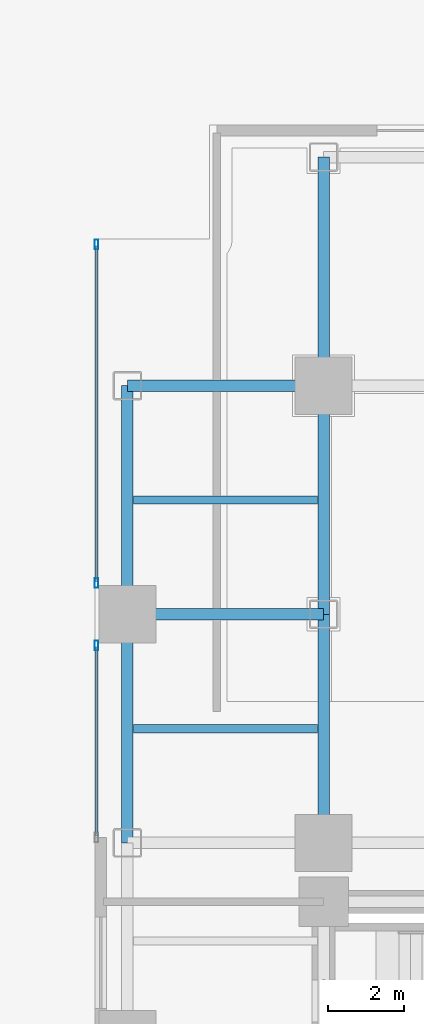
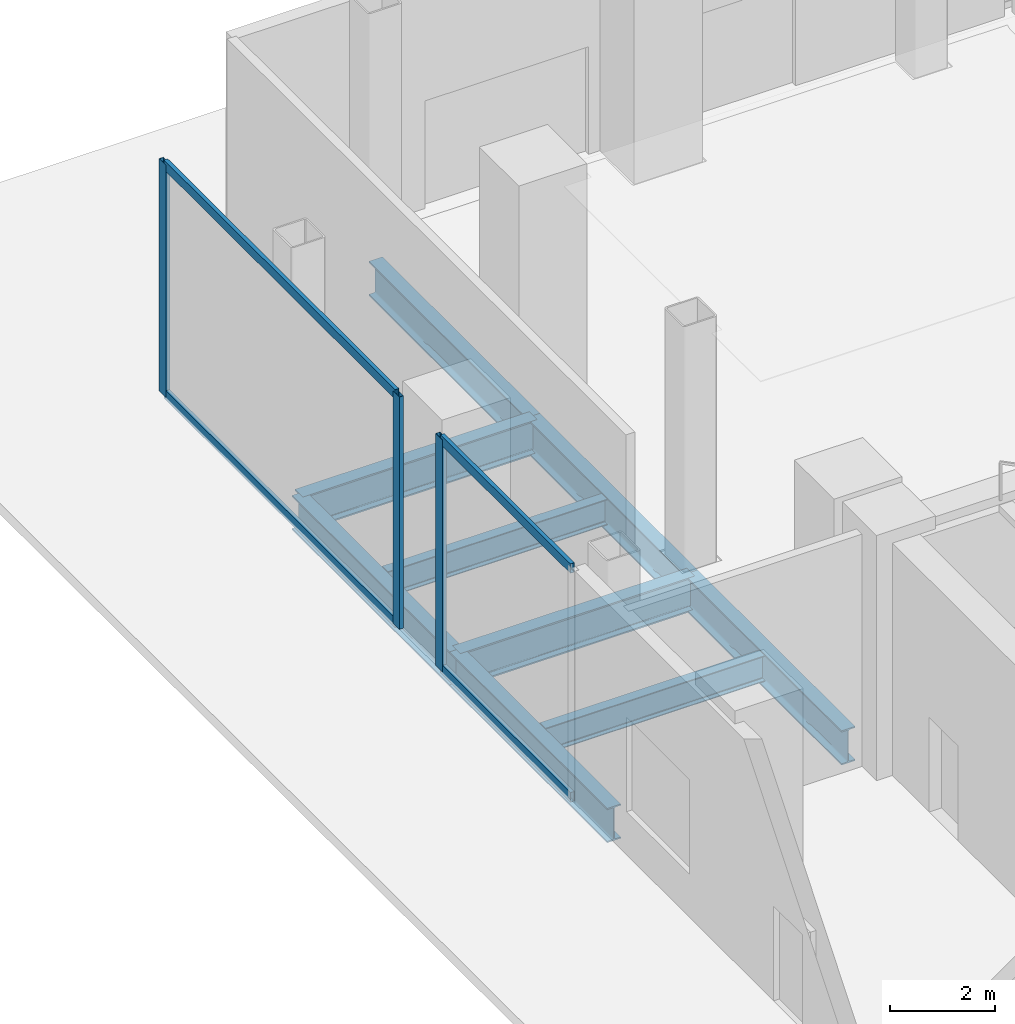
# One storey, part 10 of 27: 9 beams, 7 members, 2 elements without a shape of their own.
"""IFC4 building model written with IfcOpenShell, lengths in metres."""

import ifcopenshell
import ifcopenshell.guid

model = None  # the IFC model being written
_history = None  # IfcOwnerHistory: only IFC2X3 demands one
_inside = {}  # id of a spatial element -> (the spatial element, [elements in it])
_under = {}  # id of a project, library or spatial element -> (it, [spatial elements below it])
_declared = {}  # id of a project -> (the project, [libraries it declares])
_typed = {}  # id of a type object -> (the type object, [elements of that type])
_made_of = {}  # id of a material, layer set ... -> (it, [elements and type objects made of it])


def new_model(schema):
    """Start an empty IFC model of exactly this schema.

    Asked for "IFC4X3", IfcOpenShell would pick the latest addendum, in which some entities
    have other attributes; the version numbers below select the first issue.
    IFC2X3 requires an IfcOwnerHistory on every rooted entity: one is made here for all.
    """
    global model, _history
    if schema == "IFC4X3":
        model = ifcopenshell.file(schema_version=(4, 3, 0, 0))
    else:
        model = ifcopenshell.file(schema=schema)
    _inside.clear()
    _under.clear()
    _declared.clear()
    _typed.clear()
    _made_of.clear()
    _history = None
    if model.schema == "IFC2X3":
        org = make("IfcOrganization", Name="unknown")
        user = make(
            "IfcPersonAndOrganization",
            ThePerson=make("IfcPerson", FamilyName="unknown"),
            TheOrganization=org,
        )
        app = make(
            "IfcApplication",
            ApplicationDeveloper=org,
            Version="unknown",
            ApplicationFullName="unknown",
            ApplicationIdentifier="unknown",
        )
        _history = make(
            "IfcOwnerHistory",
            OwningUser=user,
            OwningApplication=app,
            ChangeAction="ADDED",
            CreationDate=0,
        )
    return model


def make(cls, **values):
    """One entity of the class cls with the attributes given. An attribute that is None is left unset."""
    return model.create_entity(
        cls, **{name: value for name, value in values.items() if value is not None}
    )


def rooted(cls, **values):
    """An entity with a GlobalId (a new one), such as an element, a storey or a relation."""
    return make(cls, GlobalId=ifcopenshell.guid.new(), OwnerHistory=_history, **values)


def si_unit(unit_type, name, prefix=None):
    """IfcSIUnit, for example si_unit("LENGTHUNIT", "METRE", prefix="MILLI")."""
    return make("IfcSIUnit", UnitType=unit_type, Prefix=prefix, Name=name)


def assignment(units):
    """IfcUnitAssignment: the units of a project."""
    return None if units is None else make("IfcUnitAssignment", Units=units)


def point(xyz):
    """IfcCartesianPoint."""
    return None if xyz is None else make("IfcCartesianPoint", Coordinates=xyz)


def direction(xyz):
    """IfcDirection."""
    return None if xyz is None else make("IfcDirection", DirectionRatios=xyz)


def frame(location, z_axis=None, x_axis=None):
    """IfcAxis2Placement3D, a coordinate frame: its origin and axes. An axis left out is left unset."""
    return make(
        "IfcAxis2Placement3D",
        Location=point(location),
        Axis=direction(z_axis),
        RefDirection=direction(x_axis),
    )


def frame_2d(location, x_axis=None):
    """IfcAxis2Placement2D, a coordinate frame in the plane: its origin and x axis."""
    return make(
        "IfcAxis2Placement2D", Location=point(location), RefDirection=direction(x_axis)
    )


def origin():
    """The frame at (0, 0, 0) with its axes left unset."""
    return frame((0.0, 0.0, 0.0))


def origin_2d():
    """The frame at (0, 0) in the plane with its x axis left unset."""
    return frame_2d((0.0, 0.0))


def place(relative_to, where):
    """IfcLocalPlacement: puts the frame where relative to a parent placement (None: the world)."""
    return make(
        "IfcLocalPlacement", PlacementRelTo=relative_to, RelativePlacement=where
    )


def context(
    kind, dimensions, precision=None, world=None, true_north=None, identifier=None
):
    """IfcGeometricRepresentationContext, for example the 3D "Model" context."""
    return make(
        "IfcGeometricRepresentationContext",
        ContextIdentifier=identifier,
        ContextType=kind,
        CoordinateSpaceDimension=dimensions,
        Precision=precision,
        WorldCoordinateSystem=world,
        TrueNorth=true_north,
    )


def subcontext(parent, identifier, kind, view, scale=None):
    """IfcGeometricRepresentationSubContext, for example "Body" below "Model"."""
    return make(
        "IfcGeometricRepresentationSubContext",
        ContextIdentifier=identifier,
        ContextType=kind,
        ParentContext=parent,
        TargetScale=scale,
        TargetView=view,
    )


def project(units=None, contexts=None):
    """IfcProject with its units and contexts."""
    return rooted(
        "IfcProject",
        Name="project",
        RepresentationContexts=contexts,
        UnitsInContext=assignment(units),
    )


def spatial(cls, under=None, at=None, **own):
    """A site, building, storey or space (cls), placed at a placement, below another one or the project."""
    s = rooted(cls, ObjectPlacement=at, **own)
    if under is not None:
        _under.setdefault(under.id(), (under, []))[1].append(s)
    return s


def profile(cls, at=None, kind="AREA", **sizes):
    """A parametric profile (cls). Its sizes go by their IFC names, for example OverallWidth=200.0."""
    return make(cls, ProfileType=kind, Position=at, **sizes)


def hollow_rectangle(**sizes):
    """IfcRectangleHollowProfileDef."""
    return profile("IfcRectangleHollowProfileDef", **sizes)


def i_section(**sizes):
    """IfcIShapeProfileDef."""
    return profile("IfcIShapeProfileDef", **sizes)


def extrude(swept, where, along, depth):
    """IfcExtrudedAreaSolid: the profile swept, set in the frame where, extruded along a direction by depth."""
    return make(
        "IfcExtrudedAreaSolid",
        SweptArea=swept,
        Position=where,
        ExtrudedDirection=direction(along),
        Depth=depth,
    )


def shape(context_of_items, identifier, shape_type, items):
    """IfcShapeRepresentation: the items that make up one representation, for example the "Body"."""
    return make(
        "IfcShapeRepresentation",
        ContextOfItems=context_of_items,
        RepresentationIdentifier=identifier,
        RepresentationType=shape_type,
        Items=items,
    )


def material(Name=None, Category=None):
    """IfcMaterial."""
    return make("IfcMaterial", Name=Name, Category=Category)


def layer(
    of_material, thickness, ventilated=None, Name=None, Category=None, Priority=None
):
    """IfcMaterialLayer: one layer of a wall or slab, of a material (None: an air gap)."""
    return make(
        "IfcMaterialLayer",
        Material=of_material,
        LayerThickness=thickness,
        IsVentilated=ventilated,
        Name=Name,
        Category=Category,
        Priority=Priority,
    )


def layer_set(layers, Name=None):
    """IfcMaterialLayerSet."""
    return make("IfcMaterialLayerSet", MaterialLayers=layers, LayerSetName=Name)


def material_profile(
    of_material, cross_section, Name=None, Category=None, Priority=None
):
    """IfcMaterialProfile: a cross section and its material."""
    return make(
        "IfcMaterialProfile",
        Name=Name,
        Material=of_material,
        Profile=cross_section,
        Priority=Priority,
        Category=Category,
    )


def profile_set(profiles, Name=None, composite=None):
    """IfcMaterialProfileSet."""
    return make(
        "IfcMaterialProfileSet",
        Name=Name,
        MaterialProfiles=profiles,
        CompositeProfile=composite,
    )


def made_of(thing, what):
    """Note that an element or type object is made of a material, layer set ...; save() writes the relation."""
    if what is not None:
        _made_of.setdefault(what.id(), (what, []))[1].append(thing)
    return thing


def type_object(cls, material=None, **own):
    """A type object (cls), such as IfcWallType, which elements share."""
    return made_of(rooted(cls, **own), material)


def element(
    cls,
    number,
    at=None,
    inside=None,
    cuts=None,
    type_object=None,
    material=None,
    context=None,
    identifier="Body",
    shape_type=None,
    held_by="IfcProductDefinitionShape",
    body=None,
    shapes=None,
    **own,
):
    """One element of the class cls, such as IfcWall. Its Tag is "e" and its number.

    at: its placement. inside: the storey or other place that contains it. cuts: it is an
    opening in that element (IfcRelVoidsElement). A single representation is given by context,
    identifier, shape_type and body (its items); several are given by shapes. held_by: the class
    of the entity that holds the representations. save() writes the other relations.
    """
    e = rooted(cls, Tag="e%d" % number, ObjectPlacement=at, **own)
    if body is not None:
        shapes = [shape(context, identifier, shape_type, body)]
    if shapes is not None:
        e.Representation = make(held_by, Representations=shapes)
    if inside is not None:
        _inside.setdefault(inside.id(), (inside, []))[1].append(e)
    if cuts is not None:
        rooted(
            "IfcRelVoidsElement", RelatingBuildingElement=cuts, RelatedOpeningElement=e
        )
    if type_object is not None:
        _typed.setdefault(type_object.id(), (type_object, []))[1].append(e)
    return made_of(e, material)


def aggregate(whole, parts):
    """IfcRelAggregates: a whole, such as a stair, and the parts it consists of."""
    return rooted("IfcRelAggregates", RelatingObject=whole, RelatedObjects=parts)


def save(model, path):
    """Write the relations noted so far, then the file.

    IfcRelAggregates (storeys below a building ...), IfcRelContainedInSpatialStructure (elements
    in a storey), IfcRelDefinesByType, IfcRelAssociatesMaterial and IfcRelDeclares: one each for
    every whole, place, type object, material and project.
    """
    for whole, parts in _under.values():
        aggregate(whole, parts)
    for where, things in _inside.values():
        rooted(
            "IfcRelContainedInSpatialStructure",
            RelatedElements=things,
            RelatingStructure=where,
        )
    for kind, things in _typed.values():
        rooted("IfcRelDefinesByType", RelatedObjects=things, RelatingType=kind)
    for what, things in _made_of.values():
        rooted("IfcRelAssociatesMaterial", RelatedObjects=things, RelatingMaterial=what)
    for by, libraries in _declared.values():
        rooted("IfcRelDeclares", RelatingContext=by, RelatedDefinitions=libraries)
    model.write(path)


model = new_model("IFC4")

# Units and contexts
model_context = context("Model", 3, precision=1e-05, world=origin(), true_north=direction((0.0, 1.0)))
body_context = subcontext(model_context, "Body", "Model", "MODEL_VIEW")
ifc_project = project(units=[si_unit("LENGTHUNIT", "METRE"), si_unit("AREAUNIT", "SQUARE_METRE"), si_unit("VOLUMEUNIT", "CUBIC_METRE"), si_unit("PLANEANGLEUNIT", "RADIAN"), si_unit("MASSUNIT", "GRAM", prefix="KILO"), si_unit("THERMODYNAMICTEMPERATUREUNIT", "KELVIN"), si_unit("POWERUNIT", "WATT")], contexts=[model_context])

# Site, building, storey
site_placement = place(None, origin())
site = spatial("IfcSite", under=ifc_project, at=site_placement, CompositionType="ELEMENT")
building_placement = place(site_placement, origin())
building = spatial("IfcBuilding", under=site, at=building_placement, Name="Svarakhadi Broadcast Tower", CompositionType="ELEMENT")
storey_placement = place(building_placement, origin())
storey = spatial("IfcBuildingStorey", under=building, at=storey_placement, Name="L00", CompositionType="ELEMENT", Elevation=0.0)

# Beams
ifc_material_1 = material(Name="Steel S355J2 (IS 2062 E350C)", Category="steel")
ifc_material_profile_1 = material_profile(ifc_material_1, i_section(OverallWidth=0.219970703125, OverallDepth=0.60009765625, WebThickness=0.011962890625, FlangeThickness=0.01904296875, FilletRadius=0.02392578125, at=origin_2d()), Name="NPB 600x220x122")
ifc_profile_set_1 = profile_set([ifc_material_profile_1], Name="Steel S355J2 (IS 2062 E350C)")
beam_type_1 = type_object("IfcBeamType", Name="Beam_NPB600", PredefinedType="BEAM", material=ifc_profile_set_1)
for number, where, z_axis, x_axis, name in (
    (1, (1.010009765625, 32.14990234375, -0.64990234375), (1.0, 0.0, 0.0), (0.0, 1.0, 0.0), "L00 Secondary Composite Beam SB005"),
    (2, (1.010009765625, 38.14990234375, -0.64990234375), (1.0, 0.0, 0.0), (0.0, 1.0, 0.0), "L00 Secondary Composite Beam SB006"),
):
    element("IfcBeam", number, at=place(storey_placement, frame(where, z_axis=z_axis, x_axis=x_axis)), inside=storey, type_object=beam_type_1, Name=name, PredefinedType="BEAM", context=body_context, shape_type="SweptSolid", body=[
        extrude(i_section(OverallWidth=0.219970703125, OverallDepth=0.60009765625, WebThickness=0.011962890625, FlangeThickness=0.01904296875, FilletRadius=0.02392578125, at=origin_2d()), origin(), (0.0, 0.0, 1.0), 4.830078125),
    ])

# Curtain wall, member
ifc_material_2 = material(Name="Anodised Bronze Aluminium AA 6063-T6", Category="aluminium")
ifc_layer = layer(ifc_material_2, 0.25)
ifc_layer_set = layer_set([ifc_layer], Name="Anodised Bronze Aluminium AA 6063-T6")
curtain_wall_type = type_object("IfcCurtainWallType", Name="CW_Sys_01", PredefinedType="NOTDEFINED", material=ifc_layer_set)
curtain_wall_1_placement = place(storey_placement, origin())
curtain_wall_1 = element("IfcCurtainWall", 3, at=curtain_wall_1_placement, inside=storey, type_object=curtain_wall_type, Name="L00 Podium Glazed Curtain Wall 06 Bay 1", PredefinedType="NOTDEFINED")
ifc_material_profile_2 = material_profile(ifc_material_2, hollow_rectangle(XDim=0.094970703125, YDim=0.25, WallThickness=0.006103515625, at=origin_2d()), Name="ALU MULLION 250x95x6")
ifc_profile_set_2 = profile_set([ifc_material_profile_2], Name="Anodised Bronze Aluminium AA 6063-T6")
member_type_1 = type_object("IfcMemberType", Name="CW_Sys_01_Mul", PredefinedType="MULLION", material=ifc_profile_set_2)
member_1_placement = place(storey_placement, frame((0.0400390625, 34.33251953125, 0.0), z_axis=(0.0, 0.0, 1.0), x_axis=(-1.0, 0.0, 0.0)))
member_1 = element("IfcMember", 4, at=member_1_placement, type_object=member_type_1, Name="CW-01 mullion 2", PredefinedType="MULLION", context=body_context, shape_type="SweptSolid", body=[
    extrude(hollow_rectangle(XDim=0.094970703125, YDim=0.25, WallThickness=0.006103515625, at=origin_2d()), origin(), (0.0, 0.0, 1.0), 5.39990234375),
])

# Curtain wall, members
curtain_wall_2_placement = place(storey_placement, origin())
curtain_wall_2 = element("IfcCurtainWall", 5, at=curtain_wall_2_placement, inside=storey, type_object=curtain_wall_type, Name="L00 Podium Glazed Curtain Wall 06 Bay 2", PredefinedType="NOTDEFINED")
member_2_placement = place(storey_placement, frame((0.0400390625, 35.967529296875, 0.0), z_axis=(0.0, 0.0, 1.0), x_axis=(-1.0, 0.0, 0.0)))
member_2 = element("IfcMember", 6, at=member_2_placement, type_object=member_type_1, Name="CW-01 mullion 1", PredefinedType="MULLION", context=body_context, shape_type="SweptSolid", body=[
    extrude(hollow_rectangle(XDim=0.094970703125, YDim=0.25, WallThickness=0.006103515625, at=origin_2d()), origin(), (0.0, 0.0, 1.0), 5.39990234375),
])
member_3_placement = place(storey_placement, frame((0.0400390625, 44.862548828125, 0.0), z_axis=(0.0, 0.0, 1.0), x_axis=(-1.0, 0.0, 0.0)))
member_3 = element("IfcMember", 7, at=member_3_placement, type_object=member_type_1, Name="CW-01 mullion 2", PredefinedType="MULLION", context=body_context, shape_type="SweptSolid", body=[
    extrude(hollow_rectangle(XDim=0.094970703125, YDim=0.25, WallThickness=0.006103515625, at=origin_2d()), origin(), (0.0, 0.0, 1.0), 5.39990234375),
])

# Member
ifc_material_profile_3 = material_profile(ifc_material_2, hollow_rectangle(XDim=0.0849609375, YDim=0.219970703125, WallThickness=0.0048828125, at=origin_2d()), Name="ALU TRANSOM 220x85x5")
ifc_profile_set_3 = profile_set([ifc_material_profile_3], Name="Anodised Bronze Aluminium AA 6063-T6")
member_type_2 = type_object("IfcMemberType", Name="CW_Sys_01_Trn", PredefinedType="USERDEFINED", material=ifc_profile_set_3)
member_4_placement = place(storey_placement, frame((0.0400390625, 29.3349609375, 0.04248046875), z_axis=(0.0, 1.0, 0.0), x_axis=(-1.0, 0.0, 0.0)))
member_4 = element("IfcMember", 8, at=member_4_placement, type_object=member_type_2, Name="CW-01 transom 1.1", ObjectType="TRANSOM", PredefinedType="USERDEFINED", context=body_context, shape_type="SweptSolid", body=[
    extrude(hollow_rectangle(XDim=0.0849609375, YDim=0.219970703125, WallThickness=0.0048828125, at=origin_2d()), origin(), (0.0, 0.0, 1.0), 4.949951171875),
])

member_5_placement = place(storey_placement, frame((0.0400390625, 29.3349609375, 5.357421875), z_axis=(0.0, 1.0, 0.0), x_axis=(-1.0, 0.0, 0.0)))
member_5 = element("IfcMember", 9, at=member_5_placement, type_object=member_type_2, Name="CW-01 transom 1.2", ObjectType="TRANSOM", PredefinedType="USERDEFINED", context=body_context, shape_type="SweptSolid", body=[
    extrude(hollow_rectangle(XDim=0.0849609375, YDim=0.219970703125, WallThickness=0.0048828125, at=origin_2d()), origin(), (0.0, 0.0, 1.0), 4.949951171875),
])

aggregate(curtain_wall_1, [member_1, member_4, member_5])

member_6_placement = place(storey_placement, frame((0.0400390625, 36.014892578125, 0.04248046875), z_axis=(0.0, 1.0, 0.0), x_axis=(-1.0, 0.0, 0.0)))
member_6 = element("IfcMember", 10, at=member_6_placement, type_object=member_type_2, Name="CW-01 transom 1.1", ObjectType="TRANSOM", PredefinedType="USERDEFINED", context=body_context, shape_type="SweptSolid", body=[
    extrude(hollow_rectangle(XDim=0.0849609375, YDim=0.219970703125, WallThickness=0.0048828125, at=origin_2d()), origin(), (0.0, 0.0, 1.0), 8.800048828125),
])

member_7_placement = place(storey_placement, frame((0.0400390625, 36.014892578125, 5.357421875), z_axis=(0.0, 1.0, 0.0), x_axis=(-1.0, 0.0, 0.0)))
member_7 = element("IfcMember", 11, at=member_7_placement, type_object=member_type_2, Name="CW-01 transom 1.2", ObjectType="TRANSOM", PredefinedType="USERDEFINED", context=body_context, shape_type="SweptSolid", body=[
    extrude(hollow_rectangle(XDim=0.0849609375, YDim=0.219970703125, WallThickness=0.0048828125, at=origin_2d()), origin(), (0.0, 0.0, 1.0), 8.800048828125),
])

aggregate(curtain_wall_2, [member_2, member_3, member_6, member_7])

# Beams
ifc_material_profile_4 = material_profile(ifc_material_1, i_section(OverallWidth=0.300048828125, OverallDepth=0.800048828125, WebThickness=0.017578125, FlangeThickness=0.032958984375, FilletRadius=0.030029296875, at=origin_2d()), Name="WPB 800x300x262")
ifc_profile_set_4 = profile_set([ifc_material_profile_4], Name="Steel S355J2 (IS 2062 E350C)")
beam_type_2 = type_object("IfcBeamType", Name="Girder_WPB800", PredefinedType="USERDEFINED", material=ifc_profile_set_4)
for number, where, z_axis, x_axis, name in (
    (12, (0.85009765625, 35.14990234375, -0.75), (1.0, 0.0, 0.0), (0.0, 1.0, 0.0), "L00 Primary E-W Girder G037"),
    (13, (0.85009765625, 41.14990234375, -0.75), (1.0, 0.0, 0.0), (0.0, 1.0, 0.0), "L00 Primary E-W Girder G040"),
):
    element("IfcBeam", number, at=place(storey_placement, frame(where, z_axis=z_axis, x_axis=x_axis)), inside=storey, type_object=beam_type_2, Name=name, ObjectType="GIRDER", PredefinedType="USERDEFINED", context=body_context, shape_type="SweptSolid", body=[
        extrude(i_section(OverallWidth=0.300048828125, OverallDepth=0.800048828125, WebThickness=0.017578125, FlangeThickness=0.032958984375, FilletRadius=0.030029296875, at=origin_2d()), origin(), (0.0, 0.0, 1.0), 5.14990234375),
    ])
for number, where, z_axis, x_axis, name in (
    (14, (0.85009765625, 29.14990234375, -0.75), (0.0, 1.0, 0.0), (-1.0, 0.0, 0.0), "L00 Primary N-S Girder G048"),
    (15, (0.85009765625, 35.14990234375, -0.75), (0.0, 1.0, 0.0), (-1.0, 0.0, 0.0), "L00 Primary N-S Girder G049"),
    (16, (6.0, 29.14990234375, -0.75), (0.0, 1.0, 0.0), (-1.0, 0.0, 0.0), "L00 Primary N-S Girder G054"),
    (17, (6.0, 35.14990234375, -0.75), (0.0, 1.0, 0.0), (-1.0, 0.0, 0.0), "L00 Primary N-S Girder G055"),
    (18, (6.0, 41.14990234375, -0.75), (0.0, 1.0, 0.0), (-1.0, 0.0, 0.0), "L00 Primary N-S Girder G056"),
):
    element("IfcBeam", number, at=place(storey_placement, frame(where, z_axis=z_axis, x_axis=x_axis)), inside=storey, type_object=beam_type_2, Name=name, ObjectType="GIRDER", PredefinedType="USERDEFINED", context=body_context, shape_type="SweptSolid", body=[
        extrude(i_section(OverallWidth=0.300048828125, OverallDepth=0.800048828125, WebThickness=0.017578125, FlangeThickness=0.032958984375, FilletRadius=0.030029296875, at=origin_2d()), origin(), (0.0, 0.0, 1.0), 6.0),
    ])

save(model, "model.ifc")
